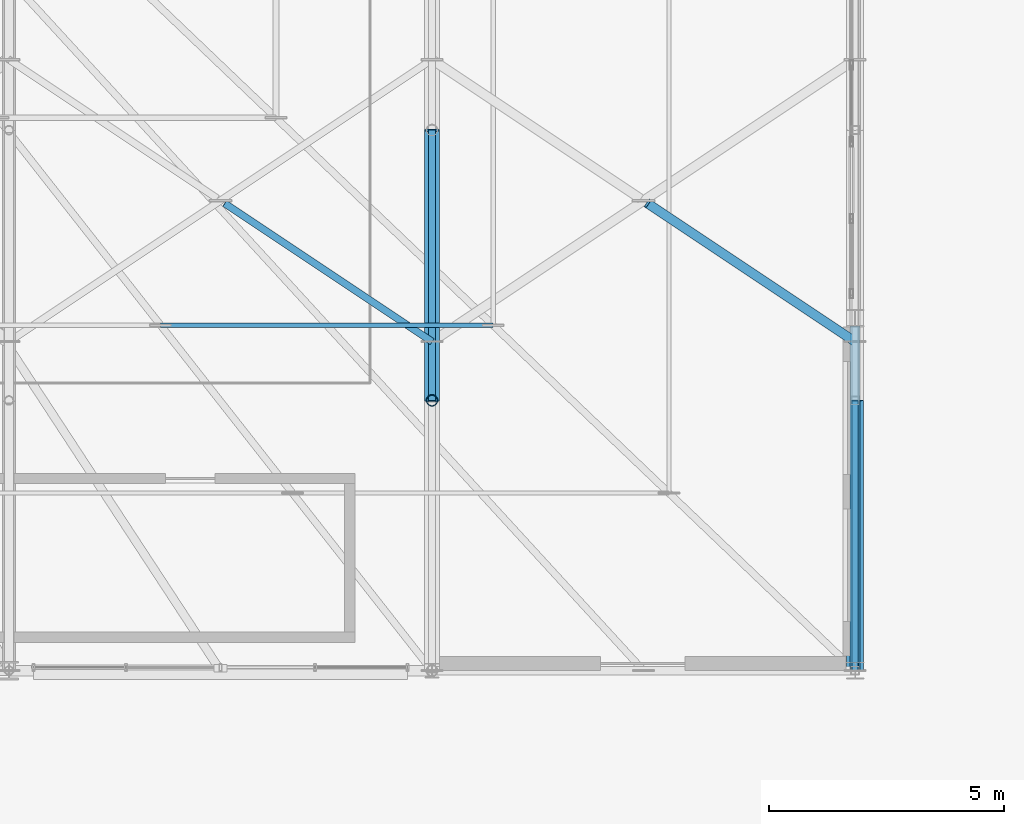
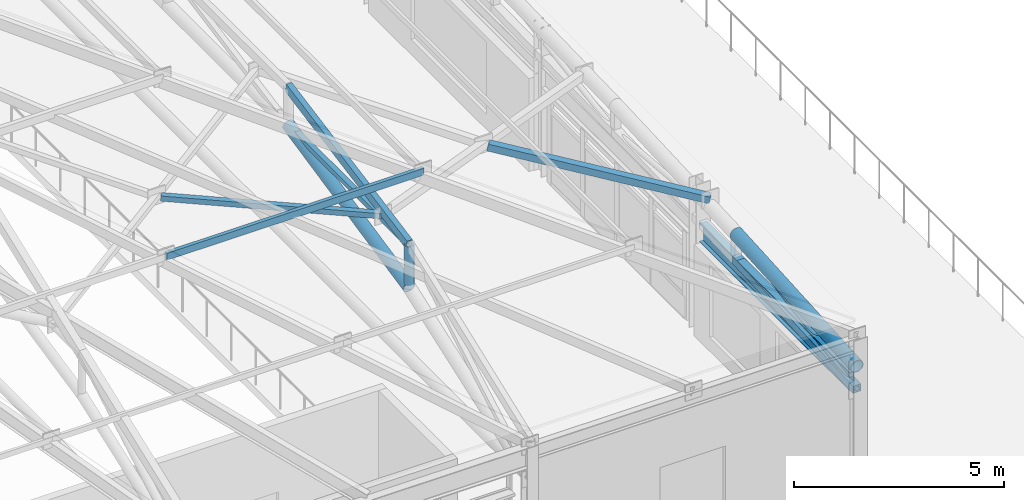
# One storey, part 37 of 168: 8 members, 3 beams.
"""IFC4 building model written with IfcOpenShell, lengths in metres."""

from ifc_helpers import new_model, si_unit, direction, frame, origin, origin_2d, place, context, subcontext, project, spatial, hollow_rectangle, hollow_circle, i_section, extrude, material, material_profile, profile_set, type_object, element, save


model = new_model("IFC4")

# Units and contexts
model_context = context("Model", 3, precision=1e-05, world=origin(), true_north=direction((0.0, 1.0)))
body_context = subcontext(model_context, "Body", "Model", "MODEL_VIEW")
ifc_project = project(units=[si_unit("LENGTHUNIT", "METRE"), si_unit("AREAUNIT", "SQUARE_METRE"), si_unit("VOLUMEUNIT", "CUBIC_METRE"), si_unit("PLANEANGLEUNIT", "RADIAN"), si_unit("MASSUNIT", "GRAM", prefix="KILO"), si_unit("THERMODYNAMICTEMPERATUREUNIT", "KELVIN"), si_unit("POWERUNIT", "WATT")], contexts=[model_context])

# Site, building, storey
site_placement = place(None, origin())
site = spatial("IfcSite", under=ifc_project, at=site_placement, CompositionType="ELEMENT")
building_placement = place(site_placement, origin())
building = spatial("IfcBuilding", under=site, at=building_placement, Name="Tepalcoro Natatorium and Aquatics Centre", CompositionType="ELEMENT")
storey_placement = place(building_placement, frame((0.0, 0.0, 10.199951171875)))
storey = spatial("IfcBuildingStorey", under=building, at=storey_placement, Name="L02", CompositionType="ELEMENT", Elevation=10.199951171875)

# Beams
ifc_material_1 = material(Name="Terracotta Painted Hollow Steel ASTM A500 Grade C (Fy 345 MPa)", Category="masonry")
ifc_material_profile_1 = material_profile(ifc_material_1, hollow_circle(Radius=0.177978515625, WallThickness=0.01611328125, at=origin_2d()), Name="CHS356X16")
ifc_profile_set_1 = profile_set([ifc_material_profile_1], Name="Terracotta Painted Hollow Steel ASTM A500 Grade C (Fy 345 MPa)")
beam_type_1 = type_object("IfcBeamType", Name="AC_CHS356x16", PredefinedType="USERDEFINED", material=ifc_profile_set_1)
beam_1_placement = place(storey_placement, frame((125.0, 13.0, 3.449951171875), z_axis=(0.0, 0.997912996707, 0.064572834875), x_axis=(-1.0, 0.0, 0.0)))
element("IfcBeam", 1, at=beam_1_placement, inside=storey, type_object=beam_type_1, Name="V1 Gable Arched Truss Top Chord 9", ObjectType="ARCH CHORD", PredefinedType="USERDEFINED", context=body_context, shape_type="SweptSolid", body=[
    extrude(hollow_circle(Radius=0.177978515625, WallThickness=0.01611328125, at=origin_2d()), origin(), (0.0, 0.0, 1.0), 5.761962890625),
])
ifc_material_profile_2 = material_profile(ifc_material_1, hollow_rectangle(XDim=0.14990234375, YDim=0.25, WallThickness=0.011962890625, at=origin_2d()), Name="HSS250X150X12")
ifc_profile_set_2 = profile_set([ifc_material_profile_2], Name="Terracotta Painted Hollow Steel ASTM A500 Grade C (Fy 345 MPa)")
beam_type_2 = type_object("IfcBeamType", Name="AC_HSS250x150x12", PredefinedType="USERDEFINED", material=ifc_profile_set_2)
beam_2_placement = place(storey_placement, frame((116.0, 18.75, 6.671142578125), z_axis=(0.0, 0.982667533818, 0.185376692118), x_axis=(-1.0, 0.0, 0.0)))
element("IfcBeam", 2, at=beam_2_placement, inside=storey, type_object=beam_type_2, Name="V1 Arched Truss Top Chord 8", ObjectType="ARCH CHORD", PredefinedType="USERDEFINED", context=body_context, shape_type="SweptSolid", body=[
    extrude(hollow_rectangle(XDim=0.14990234375, YDim=0.25, WallThickness=0.011962890625, at=origin_2d()), origin(), (0.0, 0.0, 1.0), 5.851318359375),
])

# Members
ifc_material_2 = material(Name="Hollow Steel ASTM A500 Grade C (Fy 345 MPa)", Category="steel")
ifc_material_profile_3 = material_profile(ifc_material_2, hollow_rectangle(XDim=0.14990234375, YDim=0.14990234375, WallThickness=0.010009765625, at=origin_2d()), Name="HSS150X150X10")
ifc_profile_set_3 = profile_set([ifc_material_profile_3], Name="Hollow Steel ASTM A500 Grade C (Fy 345 MPa)")
member_type_1 = type_object("IfcMemberType", Name="MB_BR_HSS150x150x10", PredefinedType="BRACE", material=ifc_profile_set_3)
member_1_placement = place(storey_placement, frame((116.0, 20.0, 6.768310546875), z_axis=(-0.830890596741, 0.553911732995, 0.052939666584), x_axis=(-0.55468956716, -0.832057380283, 0.0)))
element("IfcMember", 3, at=member_1_placement, inside=storey, type_object=member_type_1, Name="V1 Pyramid Roof Split Wind Brace", PredefinedType="BRACE", context=body_context, shape_type="SweptSolid", body=[
    extrude(hollow_rectangle(XDim=0.14990234375, YDim=0.14990234375, WallThickness=0.010009765625, at=origin_2d()), origin(), (0.0, 0.0, 1.0), 5.30810546875),
])
ifc_material_profile_4 = material_profile(ifc_material_2, hollow_rectangle(XDim=0.199951171875, YDim=0.199951171875, WallThickness=0.011962890625, at=origin_2d()), Name="HSS200X200X12")
ifc_profile_set_4 = profile_set([ifc_material_profile_4], Name="Hollow Steel ASTM A500 Grade C (Fy 345 MPa)")
member_type_2 = type_object("IfcMemberType", Name="MB_BR_HSS200x200x12", PredefinedType="BRACE", material=ifc_profile_set_4)
member_2_placement = place(storey_placement, frame((125.0, 20.0, 4.094970703125), z_axis=(-0.807941561901, 0.538642609381, 0.238944704718), x_axis=(-0.554710820314, -0.832043211514, 0.0)))
element("IfcMember", 4, at=member_2_placement, inside=storey, type_object=member_type_2, Name="V1 Pyramid Roof Split Wind Brace", PredefinedType="BRACE", context=body_context, shape_type="SweptSolid", body=[
    extrude(hollow_rectangle(XDim=0.199951171875, YDim=0.199951171875, WallThickness=0.011962890625, at=origin_2d()), origin(), (0.0, 0.0, 1.0), 5.461181640625),
])
ifc_material_profile_5 = material_profile(ifc_material_1, hollow_circle(Radius=0.162109375, WallThickness=0.013916015625, at=origin_2d()), Name="CHS324X14")
ifc_profile_set_5 = profile_set([ifc_material_profile_5], Name="Terracotta Painted Hollow Steel ASTM A500 Grade C (Fy 345 MPa)")
member_type_3 = type_object("IfcMemberType", Name="MB_CH_CHS324x14", PredefinedType="CHORD", material=ifc_profile_set_5)
member_3_placement = place(storey_placement, frame((116.0, 18.75, 5.42822265625), z_axis=(0.0, 0.977954071174, 0.20882010122), x_axis=(-1.0, 0.0, 0.0)))
element("IfcMember", 5, at=member_3_placement, inside=storey, type_object=member_type_3, Name="V1 Arched Truss Bottom Chord 8", PredefinedType="CHORD", context=body_context, shape_type="SweptSolid", body=[
    extrude(hollow_circle(Radius=0.162109375, WallThickness=0.013916015625, at=origin_2d()), origin(), (0.0, 0.0, 1.0), 5.879638671875),
])
ifc_material_profile_6 = material_profile(ifc_material_1, hollow_rectangle(XDim=0.219970703125, YDim=0.219970703125, WallThickness=0.011962890625, at=origin_2d()), Name="HSS220X220X12")
ifc_profile_set_6 = profile_set([ifc_material_profile_6], Name="Terracotta Painted Hollow Steel ASTM A500 Grade C (Fy 345 MPa)")
member_type_4 = type_object("IfcMemberType", Name="MB_CH_HSS220x220x12", PredefinedType="CHORD", material=ifc_profile_set_6)
member_4_placement = place(storey_placement, frame((125.0, 13.0, 2.800048828125), z_axis=(0.0, 0.998585550978, 0.053168575107), x_axis=(-1.0, 0.0, 0.0)))
element("IfcMember", 6, at=member_4_placement, inside=storey, type_object=member_type_4, Name="V1 Gable Arched Truss Bottom Chord 9", PredefinedType="CHORD", context=body_context, shape_type="SweptSolid", body=[
    extrude(hollow_rectangle(XDim=0.219970703125, YDim=0.219970703125, WallThickness=0.011962890625, at=origin_2d()), origin(), (0.0, 0.0, 1.0), 5.758056640625),
])
ifc_material_profile_7 = material_profile(ifc_material_2, hollow_rectangle(XDim=0.10009765625, YDim=0.199951171875, WallThickness=0.008056640625, at=origin_2d()), Name="HSS200X100X8")
ifc_profile_set_7 = profile_set([ifc_material_profile_7], Name="Hollow Steel ASTM A500 Grade C (Fy 345 MPa)")
member_type_5 = type_object("IfcMemberType", Name="MB_PR_HSS200x100x8", PredefinedType="PURLIN", material=ifc_profile_set_7)
member_5_placement = place(storey_placement, frame((110.22509765625, 20.35009765625, 7.380126953125), z_axis=(1.0, 0.0, 0.0), x_axis=(0.0, 1.0, 0.0)))
element("IfcMember", 7, at=member_5_placement, inside=storey, type_object=member_type_5, Name="Pyramid Horizontal Purlin South", PredefinedType="PURLIN", context=body_context, shape_type="SweptSolid", body=[
    extrude(hollow_rectangle(XDim=0.10009765625, YDim=0.199951171875, WallThickness=0.008056640625, at=origin_2d()), origin(), (0.0, 0.0, 1.0), 7.074951171875),
])
ifc_material_profile_8 = material_profile(ifc_material_1, hollow_circle(Radius=0.1220703125, WallThickness=0.011962890625, at=origin_2d()), Name="CHS244X12")
ifc_profile_set_8 = profile_set([ifc_material_profile_8], Name="Terracotta Painted Hollow Steel ASTM A500 Grade C (Fy 345 MPa)")
member_type_6 = type_object("IfcMemberType", Name="MB_PS_CHS244x12", PredefinedType="POST", material=ifc_profile_set_8)
member_6_placement = place(storey_placement, frame((116.0, 18.75, 5.42822265625), z_axis=(0.0, 0.0, 1.0), x_axis=(1.0, 0.0, 0.0)))
element("IfcMember", 8, at=member_6_placement, inside=storey, type_object=member_type_6, Name="V1 Arched Truss Vertical Post 8", PredefinedType="POST", context=body_context, shape_type="SweptSolid", body=[
    extrude(hollow_circle(Radius=0.1220703125, WallThickness=0.011962890625, at=origin_2d()), origin(), (0.0, 0.0, 1.0), 1.242919921875),
])
ifc_material_profile_9 = material_profile(ifc_material_1, hollow_circle(Radius=0.070068359375, WallThickness=0.008056640625, at=origin_2d()), Name="CHS140X8")
ifc_profile_set_9 = profile_set([ifc_material_profile_9], Name="Terracotta Painted Hollow Steel ASTM A500 Grade C (Fy 345 MPa)")
member_type_7 = type_object("IfcMemberType", Name="MB_ST_CHS140x8", PredefinedType="STRUT", material=ifc_profile_set_9)
member_7_placement = place(storey_placement, frame((125.0, 13.0, 2.800048828125), z_axis=(0.0, 0.984569871158, 0.174991910694), x_axis=(-1.0, 0.0, 0.0)))
element("IfcMember", 9, at=member_7_placement, inside=storey, type_object=member_type_7, Name="V1 Arched Truss Web Diagonal 9", PredefinedType="STRUT", context=body_context, shape_type="SweptSolid", body=[
    extrude(hollow_circle(Radius=0.070068359375, WallThickness=0.008056640625, at=origin_2d()), origin(), (0.0, 0.0, 1.0), 5.840087890625),
])
ifc_material_profile_10 = material_profile(ifc_material_2, hollow_rectangle(XDim=0.139892578125, YDim=0.139892578125, WallThickness=0.008056640625, at=origin_2d()), Name="HSS140X140X8")
ifc_profile_set_10 = profile_set([ifc_material_profile_10], Name="Hollow Steel ASTM A500 Grade C (Fy 345 MPa)")
member_type_8 = type_object("IfcMemberType", Name="MB_ST_HSS140x140x8", PredefinedType="STRUT", material=ifc_profile_set_10)
member_8_placement = place(storey_placement, frame((116.0, 18.75, 6.671142578125), z_axis=(0.0, 0.999996535061, -0.002632463705), x_axis=(-1.0, 0.0, 0.0)))
element("IfcMember", 10, at=member_8_placement, inside=storey, type_object=member_type_8, Name="V1 Arched Truss Web Diagonal 8", PredefinedType="STRUT", context=body_context, shape_type="SweptSolid", body=[
    extrude(hollow_rectangle(XDim=0.139892578125, YDim=0.139892578125, WallThickness=0.008056640625, at=origin_2d()), origin(), (0.0, 0.0, 1.0), 5.75),
])

# Beam
ifc_material_3 = material(Name="Steel ASTM A992 Grade 50 (Fy 345 MPa)", Category="steel")
ifc_material_profile_11 = material_profile(ifc_material_3, i_section(OverallWidth=0.2099609375, OverallDepth=0.535888671875, WebThickness=0.010986328125, FlangeThickness=0.01708984375, FilletRadius=0.013916015625, at=origin_2d()), Name="W21X68")
ifc_profile_set_11 = profile_set([ifc_material_profile_11], Name="Steel ASTM A992 Grade 50 (Fy 345 MPa)")
beam_type_3 = type_object("IfcBeamType", Name="SP_W21x68", PredefinedType="SPANDREL", material=ifc_profile_set_11)
beam_3_placement = place(storey_placement, frame((125.0, 13.160400390625, 2.93701171875), z_axis=(0.0, 1.0, 0.0), x_axis=(-1.0, 0.0, 0.0)))
element("IfcBeam", 11, at=beam_3_placement, inside=storey, type_object=beam_type_3, Name="V1 L02 Grid Girder Y", PredefinedType="SPANDREL", context=body_context, shape_type="SweptSolid", body=[
    extrude(i_section(OverallWidth=0.2099609375, OverallDepth=0.535888671875, WebThickness=0.010986328125, FlangeThickness=0.01708984375, FilletRadius=0.013916015625, at=origin_2d()), origin(), (0.0, 0.0, 1.0), 7.174072265625),
])

save(model, "model.ifc")
